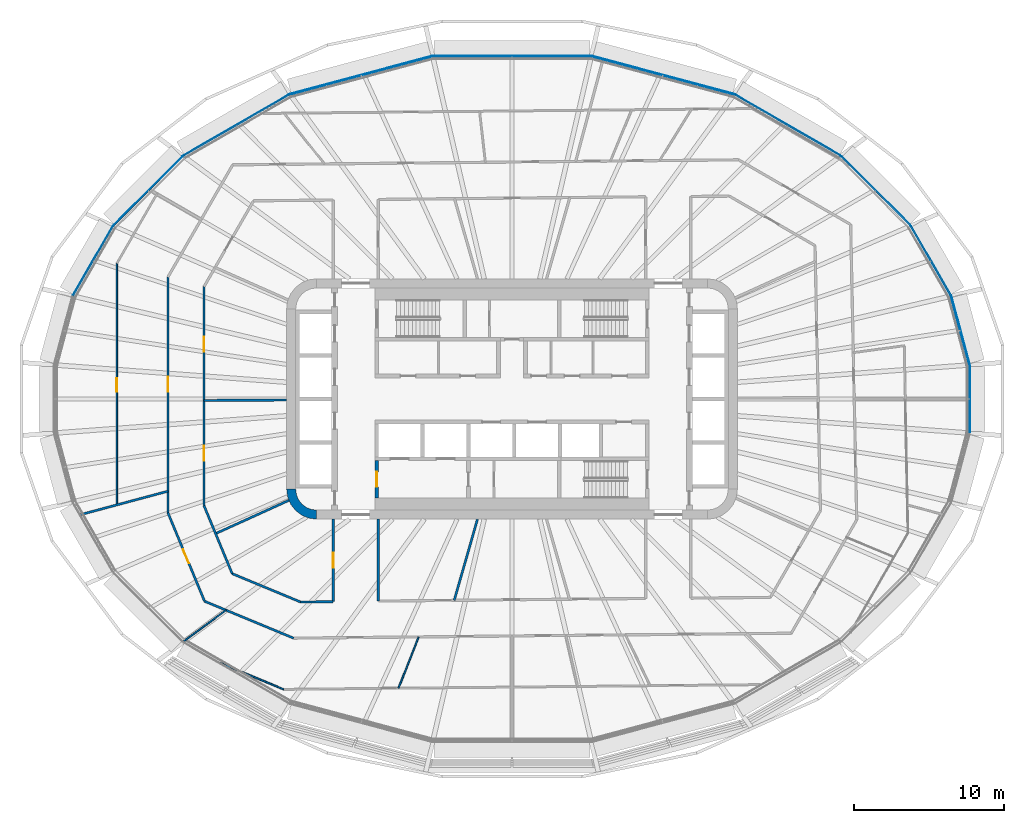
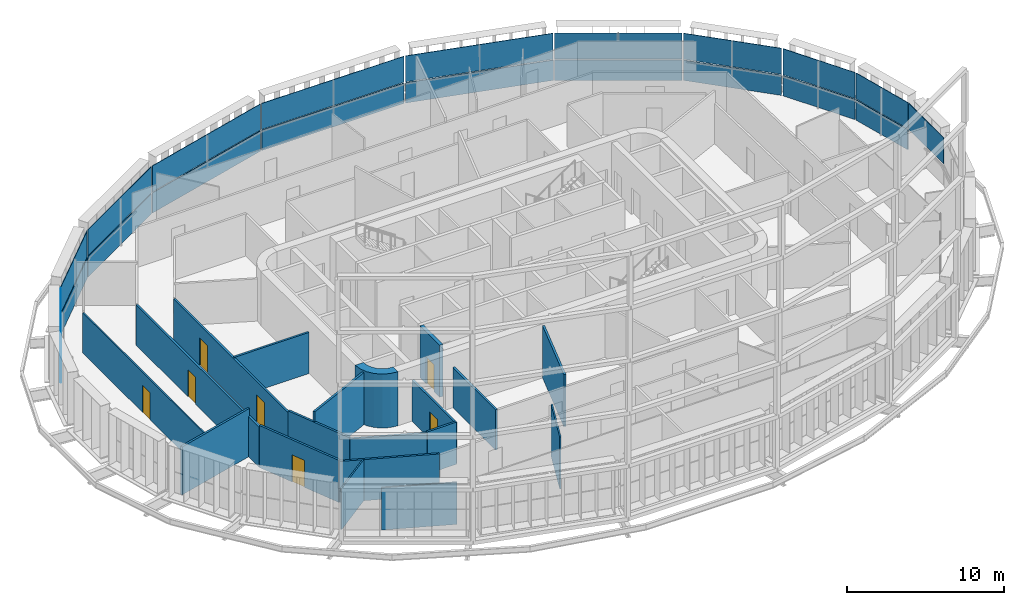
# One storey, part 11 of 23: 21 plates, 19 walls, 7 doors, 7 openings, 11 elements without a shape of their own.
"""IFC4 building model written with IfcOpenShell, lengths in metres."""

from ifc_helpers import new_model, si_unit, direction, frame, frame_2d, origin, place, context, subcontext, project, spatial, polyline, rectangle, outline, extrude, material, layer, layer_set, type_object, element, fill, aggregate, save


model = new_model("IFC4")

# Units and contexts
model_context = context("Model", 3, precision=1e-05, world=origin(), true_north=direction((0.0, 1.0)))
body_context = subcontext(model_context, "Body", "Model", "MODEL_VIEW")
ifc_project = project(units=[si_unit("LENGTHUNIT", "METRE"), si_unit("AREAUNIT", "SQUARE_METRE"), si_unit("VOLUMEUNIT", "CUBIC_METRE"), si_unit("PLANEANGLEUNIT", "RADIAN"), si_unit("MASSUNIT", "GRAM", prefix="KILO")], contexts=[model_context])

# Site, building, storey
site_placement = place(None, origin())
site = spatial("IfcSite", under=ifc_project, at=site_placement, CompositionType="ELEMENT")
building_placement = place(site_placement, origin())
building = spatial("IfcBuilding", under=site, at=building_placement, Name="Sahrelin Media Tower", CompositionType="ELEMENT")
storey_placement = place(building_placement, frame((0.0, 0.0, 54.60009765625)))
storey = spatial("IfcBuildingStorey", under=building, at=storey_placement, Name="L08", CompositionType="ELEMENT", Elevation=54.60009765625)

# Curtain wall, plate
ifc_material_1 = material(Name="Champagne anodised aluminium 6063-T6", Category="aluminium")
ifc_layer_1 = layer(ifc_material_1, 0.14990234375)
ifc_layer_set_1 = layer_set([ifc_layer_1], Name="Tower ribbon curtain wall")
curtain_wall_type = type_object("IfcCurtainWallType", Name="Tower ribbon curtain wall", PredefinedType="NOTDEFINED", material=ifc_layer_set_1)
curtain_wall_1_placement = place(storey_placement, frame((30.47412109375, 0.0, 0.0), z_axis=(0.0, 0.0, 1.0), x_axis=(1.0, 0.0, 0.0)))
curtain_wall_1 = element("IfcCurtainWall", 1, at=curtain_wall_1_placement, inside=storey, type_object=curtain_wall_type, Name="L08:CW:L08-00", PredefinedType="NOTDEFINED")
ifc_material_2 = material(Name="Clear low-iron glazing", Category="glass")
ifc_layer_2 = layer(ifc_material_2, 0.0400390625)
ifc_layer_set_2 = layer_set([ifc_layer_2], Name="Glazing panel 40 mm CW1")
plate_type_1 = type_object("IfcPlateType", Name="Glazing panel 40 mm CW1", PredefinedType="CURTAIN_PANEL", material=ifc_layer_set_2)
plate_1_placement = place(storey_placement, frame((30.493896484375, -2.219482421875, 1.6298828125), z_axis=(1.0, 0.0, 0.0), x_axis=(0.0, 1.0, 0.0)))
plate_1 = element("IfcPlate", 2, at=plate_1_placement, type_object=plate_type_1, Name="L08:CWP2:L08-00", PredefinedType="CURTAIN_PANEL", context=body_context, shape_type="SweptSolid", body=[
    extrude(outline(polyline([(0.0, 0.0), (4.43896484375, 0.0), (4.43896484375, 2.0185546875), (0.0, 2.0185546875), (0.0, 0.0)])), origin(), (0.0, 0.0, -1.0), 0.0400390625),
])
aggregate(curtain_wall_1, [plate_1])

curtain_wall_2_placement = place(storey_placement, frame((29.859619140625, 4.562744140625, 0.0), z_axis=(0.0, 0.0, 1.0), x_axis=(1.0, 0.0, 0.0)))
curtain_wall_2 = element("IfcCurtainWall", 3, at=curtain_wall_2_placement, inside=storey, type_object=curtain_wall_type, Name="L08:CW:L08-01", PredefinedType="NOTDEFINED")
plate_2_placement = place(storey_placement, frame((30.48046875, 2.322998046875, 1.6298828125), z_axis=(0.965920385207, 0.258839350642, 0.0), x_axis=(-0.258839350642, 0.965920385207, 0.0)))
plate_2 = element("IfcPlate", 4, at=plate_2_placement, type_object=plate_type_1, Name="L08:CWP2:L08-01", PredefinedType="CURTAIN_PANEL", context=body_context, shape_type="SweptSolid", body=[
    extrude(outline(polyline([(0.0, 0.0), (4.648193359375, 0.0), (4.648193359375, 2.0185546875), (0.0, 2.0185546875), (0.0, 0.0)])), origin(), (0.0, 0.0, -1.0), 0.0400390625),
])

curtain_wall_3_placement = place(storey_placement, frame((27.893798828125, 9.196533203125, 0.0), z_axis=(0.0, 0.0, 1.0), x_axis=(1.0, 0.0, 0.0)))
curtain_wall_3 = element("IfcCurtainWall", 5, at=curtain_wall_3_placement, inside=storey, type_object=curtain_wall_type, Name="L08:CW:L08-02", PredefinedType="NOTDEFINED")
plate_3_placement = place(storey_placement, frame((29.2373046875, 6.9091796875, 1.6298828125), z_axis=(0.866039990527, 0.49997473417, 0.0), x_axis=(-0.49997473417, 0.866039990527, 0.0)))
plate_3 = element("IfcPlate", 6, at=plate_3_placement, type_object=plate_type_1, Name="L08:CWP2:L08-02", PredefinedType="CURTAIN_PANEL", context=body_context, shape_type="SweptSolid", body=[
    extrude(outline(polyline([(0.0, 0.0), (5.305419921875, 0.0), (5.305419921875, 2.0185546875), (0.0, 2.0185546875), (0.0, 0.0)])), origin(), (0.0, 0.0, -1.0), 0.0400390625),
])

curtain_wall_4_placement = place(storey_placement, frame((24.218017578125, 13.861328125, 0.0), z_axis=(0.0, 0.0, 1.0), x_axis=(1.0, 0.0, 0.0)))
curtain_wall_4 = element("IfcCurtainWall", 7, at=curtain_wall_4_placement, inside=storey, type_object=curtain_wall_type, Name="L08:CW:L08-03", PredefinedType="NOTDEFINED")
plate_4_placement = place(storey_placement, frame((26.52099609375, 11.5869140625, 1.6298828125), z_axis=(0.707106781187, 0.707106781187, 0.0), x_axis=(-0.707106781187, 0.707106781187, 0.0)))
plate_4 = element("IfcPlate", 8, at=plate_4_placement, type_object=plate_type_1, Name="L08:CWP2:L08-03", PredefinedType="CURTAIN_PANEL", context=body_context, shape_type="SweptSolid", body=[
    extrude(outline(polyline([(0.0, 0.0), (6.473388671875, 0.0), (6.473388671875, 2.0185546875), (0.0, 2.0185546875), (0.0, 0.0)])), origin(), (0.0, 0.0, -1.0), 0.0400390625),
])

curtain_wall_5_placement = place(storey_placement, frame((18.342041015625, 18.236328125, 0.0), z_axis=(0.0, 0.0, 1.0), x_axis=(1.0, 0.0, 0.0)))
curtain_wall_5 = element("IfcCurtainWall", 9, at=curtain_wall_5_placement, inside=storey, type_object=curtain_wall_type, Name="L08:CW:L08-04", PredefinedType="NOTDEFINED")
plate_5_placement = place(storey_placement, frame((21.860595703125, 16.227783203125, 1.6298828125), z_axis=(0.500018045804, 0.866014984784, 0.0), x_axis=(-0.866014984784, 0.500018045804, 0.0)))
plate_5 = element("IfcPlate", 10, at=plate_5_placement, type_object=plate_type_1, Name="L08:CWP2:L08-04", PredefinedType="CURTAIN_PANEL", context=body_context, shape_type="SweptSolid", body=[
    extrude(outline(polyline([(0.0, 0.0), (8.102783203125, 0.0), (8.102783203125, 2.0185546875), (0.0, 2.0185546875), (0.0, 0.0)])), origin(), (0.0, 0.0, -1.0), 0.0400390625),
])

curtain_wall_6_placement = place(storey_placement, frame((10.03759765625, 21.560302734375, 0.0), z_axis=(0.0, 0.0, 1.0), x_axis=(1.0, 0.0, 0.0)))
curtain_wall_6 = element("IfcCurtainWall", 11, at=curtain_wall_6_placement, inside=storey, type_object=curtain_wall_type, Name="L08:CW:L08-05", PredefinedType="NOTDEFINED")
plate_6_placement = place(storey_placement, frame((14.7470703125, 20.3193359375, 1.6298828125), z_axis=(0.258813760539, 0.965927242268, 0.0), x_axis=(-0.965927242268, 0.258813760539, 0.0)))
plate_6 = element("IfcPlate", 12, at=plate_6_placement, type_object=plate_type_1, Name="L08:CWP2:L08-05", PredefinedType="CURTAIN_PANEL", context=body_context, shape_type="SweptSolid", body=[
    extrude(outline(polyline([(0.0, 0.0), (9.740478515625, 0.0), (9.740478515625, 2.0185546875), (0.0, 2.0185546875), (0.0, 0.0)])), origin(), (0.0, 0.0, -1.0), 0.0400390625),
])

curtain_wall_7_placement = place(storey_placement, frame((0.0, 22.833984375, 0.0), z_axis=(0.0, 0.0, 1.0), x_axis=(1.0, 0.0, 0.0)))
curtain_wall_7 = element("IfcCurtainWall", 13, at=curtain_wall_7_placement, inside=storey, type_object=curtain_wall_type, Name="L08:CW:L08-06", PredefinedType="NOTDEFINED")
plate_7_placement = place(storey_placement, frame((5.23486328125, 22.85400390625, 1.6298828125), z_axis=(0.0, 1.0, 0.0), x_axis=(-1.0, 0.0, 0.0)))
plate_7 = element("IfcPlate", 14, at=plate_7_placement, type_object=plate_type_1, Name="L08:CWP2:L08-06", PredefinedType="CURTAIN_PANEL", context=body_context, shape_type="SweptSolid", body=[
    extrude(outline(polyline([(0.0, 0.0), (10.4697265625, 0.0), (10.4697265625, 2.0185546875), (0.0, 2.0185546875), (0.0, 0.0)])), origin(), (0.0, 0.0, -1.0), 0.0400390625),
])

curtain_wall_8_placement = place(storey_placement, frame((-10.03759765625, 21.560302734375, 0.0), z_axis=(0.0, 0.0, 1.0), x_axis=(1.0, 0.0, 0.0)))
curtain_wall_8 = element("IfcCurtainWall", 15, at=curtain_wall_8_placement, inside=storey, type_object=curtain_wall_type, Name="L08:CW:L08-07", PredefinedType="NOTDEFINED")
plate_8_placement = place(storey_placement, frame((-5.33837890625, 22.84033203125, 1.6298828125), z_axis=(-0.258813760539, 0.965927242268, 0.0), x_axis=(-0.965927242268, -0.258813760539, 0.0)))
plate_8 = element("IfcPlate", 16, at=plate_8_placement, type_object=plate_type_1, Name="L08:CWP2:L08-07", PredefinedType="CURTAIN_PANEL", context=body_context, shape_type="SweptSolid", body=[
    extrude(outline(polyline([(0.0, 0.0), (9.740478515625, 0.0), (9.740478515625, 2.0185546875), (0.0, 2.0185546875), (0.0, 0.0)])), origin(), (0.0, 0.0, -1.0), 0.0400390625),
])

curtain_wall_9_placement = place(storey_placement, frame((-18.342041015625, 18.236328125, 0.0), z_axis=(0.0, 0.0, 1.0), x_axis=(1.0, 0.0, 0.0)))
curtain_wall_9 = element("IfcCurtainWall", 17, at=curtain_wall_9_placement, inside=storey, type_object=curtain_wall_type, Name="L08:CW:L08-08", PredefinedType="NOTDEFINED")
plate_9_placement = place(storey_placement, frame((-14.843505859375, 20.279296875, 1.6298828125), z_axis=(-0.500018045804, 0.866014984784, 0.0), x_axis=(-0.866014984784, -0.500018045804, 0.0)))
plate_9 = element("IfcPlate", 18, at=plate_9_placement, type_object=plate_type_1, Name="L08:CWP2:L08-08", PredefinedType="CURTAIN_PANEL", context=body_context, shape_type="SweptSolid", body=[
    extrude(outline(polyline([(0.0, 0.0), (8.102783203125, 0.0), (8.102783203125, 2.0185546875), (0.0, 2.0185546875), (0.0, 0.0)])), origin(), (0.0, 0.0, -1.0), 0.0400390625),
])

curtain_wall_10_placement = place(storey_placement, frame((-24.21826171875, 13.861572265625, 0.0), z_axis=(0.0, 0.0, 1.0), x_axis=(1.0, 0.0, 0.0)))
curtain_wall_10 = element("IfcCurtainWall", 19, at=curtain_wall_10_placement, inside=storey, type_object=curtain_wall_type, Name="L08:CW:L08-09", PredefinedType="NOTDEFINED")
plate_10_placement = place(storey_placement, frame((-21.943603515625, 16.164306640625, 1.6298828125), z_axis=(-0.707106781187, 0.707106781187, 0.0), x_axis=(-0.707106781187, -0.707106781187, 0.0)))
plate_10 = element("IfcPlate", 20, at=plate_10_placement, type_object=plate_type_1, Name="L08:CWP2:L08-09", PredefinedType="CURTAIN_PANEL", context=body_context, shape_type="SweptSolid", body=[
    extrude(outline(polyline([(0.0, 0.0), (6.473388671875, 0.0), (6.473388671875, 2.0185546875), (0.0, 2.0185546875), (0.0, 0.0)])), origin(), (0.0, 0.0, -1.0), 0.0400390625),
])

curtain_wall_11_placement = place(storey_placement, frame((-27.893798828125, 9.196533203125, 0.0), z_axis=(0.0, 0.0, 1.0), x_axis=(1.0, 0.0, 0.0)))
curtain_wall_11 = element("IfcCurtainWall", 21, at=curtain_wall_11_placement, inside=storey, type_object=curtain_wall_type, Name="L08:CW:L08-10", PredefinedType="NOTDEFINED")
plate_11_placement = place(storey_placement, frame((-26.584716796875, 11.50390625, 1.6298828125), z_axis=(-0.866039990527, 0.49997473417, 0.0), x_axis=(-0.49997473417, -0.866039990527, 0.0)))
plate_11 = element("IfcPlate", 22, at=plate_11_placement, type_object=plate_type_1, Name="L08:CWP2:L08-10", PredefinedType="CURTAIN_PANEL", context=body_context, shape_type="SweptSolid", body=[
    extrude(outline(polyline([(0.0, 0.0), (5.305419921875, 0.0), (5.305419921875, 2.0185546875), (0.0, 2.0185546875), (0.0, 0.0)])), origin(), (0.0, 0.0, -1.0), 0.0400390625),
])

# Plate
ifc_material_3 = material(Name="Insulated spandrel panel")
ifc_layer_3 = layer(ifc_material_3, 0.06005859375)
ifc_layer_set_3 = layer_set([ifc_layer_3], Name="Spandrel panel 60 mm CW1")
plate_type_2 = type_object("IfcPlateType", Name="Spandrel panel 60 mm CW1", PredefinedType="SHEET", material=ifc_layer_set_3)
plate_12_placement = place(storey_placement, frame((30.48046875, 2.322998046875, 0.0), z_axis=(0.965920385207, 0.258839350642, 0.0), x_axis=(-0.258839350642, 0.965920385207, 0.0)))
plate_12 = element("IfcPlate", 23, at=plate_12_placement, type_object=plate_type_2, Name="L08:CWP1:L08-01", PredefinedType="SHEET", context=body_context, shape_type="SweptSolid", body=[
    extrude(outline(polyline([(0.0, 0.0), (4.648193359375, 0.0), (4.648193359375, 1.56982421875), (0.0, 1.56982421875), (0.0, 0.0)])), origin(), (0.0, 0.0, -1.0), 0.06005859375),
])

aggregate(curtain_wall_2, [plate_12, plate_2])

plate_13_placement = place(storey_placement, frame((29.2373046875, 6.9091796875, 0.0), z_axis=(0.866039990527, 0.49997473417, 0.0), x_axis=(-0.49997473417, 0.866039990527, 0.0)))
plate_13 = element("IfcPlate", 24, at=plate_13_placement, type_object=plate_type_2, Name="L08:CWP1:L08-02", PredefinedType="SHEET", context=body_context, shape_type="SweptSolid", body=[
    extrude(outline(polyline([(0.0, 0.0), (5.305419921875, 0.0), (5.305419921875, 1.56982421875), (0.0, 1.56982421875), (0.0, 0.0)])), origin(), (0.0, 0.0, -1.0), 0.06005859375),
])

aggregate(curtain_wall_3, [plate_13, plate_3])

plate_14_placement = place(storey_placement, frame((26.52099609375, 11.5869140625, 0.0), z_axis=(0.707106781187, 0.707106781187, 0.0), x_axis=(-0.707106781187, 0.707106781187, 0.0)))
plate_14 = element("IfcPlate", 25, at=plate_14_placement, type_object=plate_type_2, Name="L08:CWP1:L08-03", PredefinedType="SHEET", context=body_context, shape_type="SweptSolid", body=[
    extrude(outline(polyline([(0.0, 0.0), (6.473388671875, 0.0), (6.473388671875, 1.56982421875), (0.0, 1.56982421875), (0.0, 0.0)])), origin(), (0.0, 0.0, -1.0), 0.06005859375),
])

aggregate(curtain_wall_4, [plate_14, plate_4])

plate_15_placement = place(storey_placement, frame((21.860595703125, 16.227783203125, 0.0), z_axis=(0.500018045804, 0.866014984784, 0.0), x_axis=(-0.866014984784, 0.500018045804, 0.0)))
plate_15 = element("IfcPlate", 26, at=plate_15_placement, type_object=plate_type_2, Name="L08:CWP1:L08-04", PredefinedType="SHEET", context=body_context, shape_type="SweptSolid", body=[
    extrude(outline(polyline([(0.0, 0.0), (8.102783203125, 0.0), (8.102783203125, 1.56982421875), (0.0, 1.56982421875), (0.0, 0.0)])), origin(), (0.0, 0.0, -1.0), 0.06005859375),
])

aggregate(curtain_wall_5, [plate_15, plate_5])

plate_16_placement = place(storey_placement, frame((14.7470703125, 20.3193359375, 0.0), z_axis=(0.258813760539, 0.965927242268, 0.0), x_axis=(-0.965927242268, 0.258813760539, 0.0)))
plate_16 = element("IfcPlate", 27, at=plate_16_placement, type_object=plate_type_2, Name="L08:CWP1:L08-05", PredefinedType="SHEET", context=body_context, shape_type="SweptSolid", body=[
    extrude(outline(polyline([(0.0, 0.0), (9.740478515625, 0.0), (9.740478515625, 1.56982421875), (0.0, 1.56982421875), (0.0, 0.0)])), origin(), (0.0, 0.0, -1.0), 0.06005859375),
])

aggregate(curtain_wall_6, [plate_16, plate_6])

plate_17_placement = place(storey_placement, frame((5.23486328125, 22.85400390625, 0.0), z_axis=(0.0, 1.0, 0.0), x_axis=(-1.0, 0.0, 0.0)))
plate_17 = element("IfcPlate", 28, at=plate_17_placement, type_object=plate_type_2, Name="L08:CWP1:L08-06", PredefinedType="SHEET", context=body_context, shape_type="SweptSolid", body=[
    extrude(outline(polyline([(0.0, 0.0), (10.4697265625, 0.0), (10.4697265625, 1.56982421875), (0.0, 1.56982421875), (0.0, 0.0)])), origin(), (0.0, 0.0, -1.0), 0.06005859375),
])

aggregate(curtain_wall_7, [plate_17, plate_7])

plate_18_placement = place(storey_placement, frame((-5.33837890625, 22.84033203125, 0.0), z_axis=(-0.258813760539, 0.965927242268, 0.0), x_axis=(-0.965927242268, -0.258813760539, 0.0)))
plate_18 = element("IfcPlate", 29, at=plate_18_placement, type_object=plate_type_2, Name="L08:CWP1:L08-07", PredefinedType="SHEET", context=body_context, shape_type="SweptSolid", body=[
    extrude(outline(polyline([(0.0, 0.0), (9.740478515625, 0.0), (9.740478515625, 1.56982421875), (0.0, 1.56982421875), (0.0, 0.0)])), origin(), (0.0, 0.0, -1.0), 0.06005859375),
])

aggregate(curtain_wall_8, [plate_18, plate_8])

plate_19_placement = place(storey_placement, frame((-14.843505859375, 20.279296875, 0.0), z_axis=(-0.500018045804, 0.866014984784, 0.0), x_axis=(-0.866014984784, -0.500018045804, 0.0)))
plate_19 = element("IfcPlate", 30, at=plate_19_placement, type_object=plate_type_2, Name="L08:CWP1:L08-08", PredefinedType="SHEET", context=body_context, shape_type="SweptSolid", body=[
    extrude(outline(polyline([(0.0, 0.0), (8.102783203125, 0.0), (8.102783203125, 1.56982421875), (0.0, 1.56982421875), (0.0, 0.0)])), origin(), (0.0, 0.0, -1.0), 0.06005859375),
])

aggregate(curtain_wall_9, [plate_19, plate_9])

plate_20_placement = place(storey_placement, frame((-21.943603515625, 16.164306640625, 0.0), z_axis=(-0.707106781187, 0.707106781187, 0.0), x_axis=(-0.707106781187, -0.707106781187, 0.0)))
plate_20 = element("IfcPlate", 31, at=plate_20_placement, type_object=plate_type_2, Name="L08:CWP1:L08-09", PredefinedType="SHEET", context=body_context, shape_type="SweptSolid", body=[
    extrude(outline(polyline([(0.0, 0.0), (6.473388671875, 0.0), (6.473388671875, 1.56982421875), (0.0, 1.56982421875), (0.0, 0.0)])), origin(), (0.0, 0.0, -1.0), 0.06005859375),
])

aggregate(curtain_wall_10, [plate_20, plate_10])

plate_21_placement = place(storey_placement, frame((-26.584716796875, 11.50390625, 0.0), z_axis=(-0.866039990527, 0.49997473417, 0.0), x_axis=(-0.49997473417, -0.866039990527, 0.0)))
plate_21 = element("IfcPlate", 32, at=plate_21_placement, type_object=plate_type_2, Name="L08:CWP1:L08-10", PredefinedType="SHEET", context=body_context, shape_type="SweptSolid", body=[
    extrude(outline(polyline([(0.0, 0.0), (5.305419921875, 0.0), (5.305419921875, 1.56982421875), (0.0, 1.56982421875), (0.0, 0.0)])), origin(), (0.0, 0.0, -1.0), 0.06005859375),
])

aggregate(curtain_wall_11, [plate_21, plate_11])

# Wall
ifc_material_4 = material(Name="Concrete C60/75", Category="concrete")
ifc_layer_4 = layer(ifc_material_4, 0.60009765625)
ifc_layer_set_4 = layer_set([ifc_layer_4], Name="Core wall 600")
wall_type_1 = type_object("IfcWallType", Name="Core wall 600", PredefinedType="SHEAR", material=ifc_layer_set_4)
wall_1_placement = place(storey_placement, origin())
element("IfcWall", 33, at=wall_1_placement, inside=storey, type_object=wall_type_1, Name="Core wall corner SW L08", PredefinedType="SHEAR", context=body_context, shape_type="SweptSolid", body=[
    extrude(outline(polyline([(-13.0, -8.0), (-13.0, -7.394775390625), (-13.361083984375, -7.347412109375), (-13.697509765625, -7.2080078125), (-13.986328125, -6.986328125), (-14.2080078125, -6.697509765625), (-14.347412109375, -6.361083984375), (-14.394775390625, -6.0), (-15.0, -6.0), (-14.931884765625, -6.517578125), (-14.732177734375, -7.0), (-14.414306640625, -7.414306640625), (-14.0, -7.732177734375), (-13.517578125, -7.931884765625), (-13.0, -8.0)])), origin(), (0.0, 0.0, 1.0), 4.199951171875),
])

# Wall, opening, door
ifc_material_5 = material(Name="Fire-rated gypsum board partition")
ifc_layer_5 = layer(ifc_material_5, 0.14990234375)
ifc_layer_set_5 = layer_set([ifc_layer_5], Name="Fire-rated partition 150")
wall_type_2 = type_object("IfcWallType", Name="Fire-rated partition 150", PredefinedType="PARTITIONING", material=ifc_layer_set_5)
wall_2_placement = place(storey_placement, frame((-22.89990234375, -7.572021484375, 0.0), z_axis=(0.0, 0.0, 1.0), x_axis=(0.382860357704, -0.923806227788, 0.0)))
wall_2 = element("IfcWall", 34, at=wall_2_placement, inside=storey, type_object=wall_type_2, Name="Wall", PredefinedType="PARTITIONING", context=body_context, shape_type="SweptSolid", body=[
    extrude(rectangle(XDim=6.37353515625, YDim=0.14990234375, at=frame_2d((3.186767578125, 0.0))), origin(), (0.0, 0.0, 1.0), 3.27587890625),
])
opening_1_placement = place(wall_2_placement, frame((2.637451171875, 0.0, 0.0)))
opening_1 = element("IfcOpeningElement", 35, at=opening_1_placement, cuts=wall_2, Name="Opening L08-D48", PredefinedType="OPENING", context=body_context, shape_type="SweptSolid", body=[
    extrude(rectangle(XDim=1.0, YDim=2.10009765625, at=frame_2d((0.5, 1.050048828125))), frame((0.0, 0.074951171875, 0.0), z_axis=(0.0, -1.0, 0.0), x_axis=(1.0, 0.0, 0.0)), (0.0, 0.0, 1.0), 0.14990234375),
])
ifc_material_6 = material(Name="Steel fire door leaf", Category="steel")
door_type_1 = type_object("IfcDoorType", Name="Fire door 1000 x 2100 EI 60", OperationType="NOTDEFINED", PredefinedType="DOOR", material=ifc_material_6)
door_1_placement = place(opening_1_placement, origin())
door_1 = element("IfcDoor", 36, at=door_1_placement, inside=storey, type_object=door_type_1, Name="Fire door", OperationType="SINGLE_SWING_LEFT", OverallHeight=2.10009765625, OverallWidth=1.0, PredefinedType="DOOR", context=body_context, shape_type="SweptSolid", body=[
    extrude(rectangle(XDim=1.0, YDim=2.10009765625, at=frame_2d((0.5, 1.050048828125))), frame((0.0, 0.02490234375, 0.0), z_axis=(0.0, -1.0, 0.0), x_axis=(1.0, 0.0, 0.0)), (0.0, 0.0, 1.0), 0.050048828125),
])
fill(opening_1, door_1)

# Walls
wall_3_placement = place(storey_placement, frame((-20.5, -7.094970703125, 0.0), z_axis=(0.0, 0.0, 1.0), x_axis=(0.382878184095, -0.923798839653, 0.0)))
element("IfcWall", 37, at=wall_3_placement, inside=storey, type_object=wall_type_2, Name="Wall", PredefinedType="PARTITIONING", context=body_context, shape_type="SweptSolid", body=[
    extrude(rectangle(XDim=4.901611328125, YDim=0.14990234375, at=frame_2d((2.45068359375, 0.0))), origin(), (0.0, 0.0, 1.0), 3.27587890625),
])
wall_4_placement = place(storey_placement, frame((-20.4599609375, -13.4599609375, 0.0), z_axis=(0.0, 0.0, 1.0), x_axis=(0.9237825057, -0.382917591869, 0.0)))
element("IfcWall", 38, at=wall_4_placement, inside=storey, type_object=wall_type_2, Name="Wall", PredefinedType="PARTITIONING", context=body_context, shape_type="SweptSolid", body=[
    extrude(rectangle(XDim=6.414794921875, YDim=0.14990234375, at=frame_2d((3.20751953125, 0.0))), origin(), (0.0, 0.0, 1.0), 3.19482421875),
])
wall_5_placement = place(storey_placement, frame((-18.623046875, -11.623046875, 0.0), z_axis=(0.0, 0.0, 1.0), x_axis=(0.923791670587, -0.38289548098, 0.0)))
element("IfcWall", 39, at=wall_5_placement, inside=storey, type_object=wall_type_2, Name="Wall", PredefinedType="PARTITIONING", context=body_context, shape_type="SweptSolid", body=[
    extrude(rectangle(XDim=4.9306640625, YDim=0.14990234375, at=frame_2d((2.46533203125, 0.0))), origin(), (0.0, 0.0, 1.0), 3.19482421875),
])
wall_6_placement = place(storey_placement, frame((-20.5, -0.093994140625, 0.0), z_axis=(0.0, 0.0, 1.0), x_axis=(0.999990148138, 0.004438876723, 0.0)))
element("IfcWall", 40, at=wall_6_placement, inside=storey, type_object=wall_type_2, Name="Wall", PredefinedType="PARTITIONING", context=body_context, shape_type="SweptSolid", body=[
    extrude(rectangle(XDim=5.5, YDim=0.14990234375, at=frame_2d((2.75, 0.0))), origin(), (0.0, 0.0, 1.0), 3.19482421875),
])
wall_7_placement = place(storey_placement, frame((-14.068115234375, -13.510986328125, 0.0), z_axis=(0.0, 0.0, 1.0), x_axis=(0.999950911515, 0.009908307647, 0.0)))
element("IfcWall", 41, at=wall_7_placement, inside=storey, type_object=wall_type_2, Name="Wall", PredefinedType="PARTITIONING", context=body_context, shape_type="SweptSolid", body=[
    extrude(rectangle(XDim=2.168212890625, YDim=0.14990234375, at=frame_2d((1.083984375, 0.0))), origin(), (0.0, 0.0, 1.0), 3.27587890625),
])
wall_8_placement = place(storey_placement, frame((-28.7548828125, -7.705078125, 0.0), z_axis=(0.0, 0.0, 1.0), x_axis=(0.965915328716, 0.2588582194, 0.0)))
element("IfcWall", 42, at=wall_8_placement, inside=storey, type_object=wall_type_2, Name="Wall", PredefinedType="PARTITIONING", context=body_context, shape_type="SweptSolid", body=[
    extrude(rectangle(XDim=6.0615234375, YDim=0.14990234375, at=frame_2d((3.03076171875, 0.0))), origin(), (0.0, 0.0, 1.0), 3.7265625),
])
wall_9_placement = place(storey_placement, frame((-19.72802734375, -8.9580078125, 0.0), z_axis=(0.0, 0.0, 1.0), x_axis=(0.910629511797, 0.413223779863, 0.0)))
element("IfcWall", 43, at=wall_9_placement, inside=storey, type_object=wall_type_2, Name="Wall", PredefinedType="PARTITIONING", context=body_context, shape_type="SweptSolid", body=[
    extrude(rectangle(XDim=5.3681640625, YDim=0.14990234375, at=frame_2d((2.68408203125, 0.0))), origin(), (0.0, 0.0, 1.0), 4.0498046875),
])
wall_10_placement = place(storey_placement, frame((-3.845947265625, -13.39892578125, 0.0), z_axis=(0.0, 0.0, 1.0), x_axis=(0.275914969745, 0.961182048038, 0.0)))
element("IfcWall", 44, at=wall_10_placement, inside=storey, type_object=wall_type_2, Name="Wall", PredefinedType="PARTITIONING", context=body_context, shape_type="SweptSolid", body=[
    extrude(rectangle(XDim=5.616943359375, YDim=0.14990234375, at=frame_2d((2.80859375, 0.0))), origin(), (0.0, 0.0, 1.0), 4.0498046875),
])
wall_11_placement = place(storey_placement, frame((-8.89990234375, -13.448974609375, 0.0), z_axis=(0.0, 0.0, 1.0), x_axis=(0.0, 1.0, 0.0)))
element("IfcWall", 45, at=wall_11_placement, inside=storey, type_object=wall_type_2, Name="Wall", PredefinedType="PARTITIONING", context=body_context, shape_type="SweptSolid", body=[
    extrude(rectangle(XDim=5.448974609375, YDim=0.14990234375, at=frame_2d((2.724609375, 0.0))), origin(), (0.0, 0.0, 1.0), 3.126953125),
])

# Wall, opening, door
wall_12_placement = place(storey_placement, frame((-11.89990234375, -13.489990234375, 0.0), z_axis=(0.0, 0.0, 1.0), x_axis=(0.0, 1.0, 0.0)))
wall_12 = element("IfcWall", 46, at=wall_12_placement, inside=storey, type_object=wall_type_2, Name="Wall", PredefinedType="PARTITIONING", context=body_context, shape_type="SweptSolid", body=[
    extrude(rectangle(XDim=5.489990234375, YDim=0.14990234375, at=frame_2d((2.7451171875, 0.0))), origin(), (0.0, 0.0, 1.0), 3.19482421875),
])
opening_2_placement = place(wall_12_placement, frame((2.2451171875, 0.0, 0.0)))
opening_2 = element("IfcOpeningElement", 47, at=opening_2_placement, cuts=wall_12, Name="Opening L08-D36", PredefinedType="OPENING", context=body_context, shape_type="SweptSolid", body=[
    extrude(rectangle(XDim=1.0, YDim=2.10009765625, at=frame_2d((0.5, 1.050048828125))), frame((0.0, 0.074951171875, 0.0), z_axis=(0.0, -1.0, 0.0), x_axis=(1.0, 0.0, 0.0)), (0.0, 0.0, 1.0), 0.14990234375),
])
door_2_placement = place(opening_2_placement, origin())
door_2 = element("IfcDoor", 48, at=door_2_placement, inside=storey, type_object=door_type_1, Name="Fire door", OperationType="SINGLE_SWING_RIGHT", OverallHeight=2.10009765625, OverallWidth=1.0, PredefinedType="DOOR", context=body_context, shape_type="SweptSolid", body=[
    extrude(rectangle(XDim=1.0, YDim=2.10009765625, at=frame_2d((0.5, 1.050048828125))), frame((0.0, 0.02490234375, 0.0), z_axis=(0.0, -1.0, 0.0), x_axis=(1.0, 0.0, 0.0)), (0.0, 0.0, 1.0), 0.050048828125),
])
fill(opening_2, door_2)

# Wall, openings, doors
wall_13_placement = place(storey_placement, frame((-20.5, -7.094970703125, 0.0), z_axis=(0.0, 0.0, 1.0), x_axis=(0.0, 1.0, 0.0)))
wall_13 = element("IfcWall", 49, at=wall_13_placement, inside=storey, type_object=wall_type_2, Name="Wall", PredefinedType="PARTITIONING", context=body_context, shape_type="SweptSolid", body=[
    extrude(rectangle(XDim=14.569091796875, YDim=0.14990234375, at=frame_2d((7.28466796875, 0.0))), origin(), (0.0, 0.0, 1.0), 3.126953125),
])
opening_3_placement = place(wall_13_placement, frame((10.234375, 0.0, 0.0)))
opening_3 = element("IfcOpeningElement", 50, at=opening_3_placement, cuts=wall_13, Name="Opening L08-D34", PredefinedType="OPENING", context=body_context, shape_type="SweptSolid", body=[
    extrude(rectangle(XDim=1.0, YDim=2.10009765625, at=frame_2d((0.5, 1.050048828125))), frame((0.0, 0.074951171875, 0.0), z_axis=(0.0, -1.0, 0.0), x_axis=(1.0, 0.0, 0.0)), (0.0, 0.0, 1.0), 0.14990234375),
])
opening_4_placement = place(wall_13_placement, frame((3.00048828125, 0.0, 0.0)))
opening_4 = element("IfcOpeningElement", 51, at=opening_4_placement, cuts=wall_13, Name="Opening L08-D35", PredefinedType="OPENING", context=body_context, shape_type="SweptSolid", body=[
    extrude(rectangle(XDim=1.0, YDim=2.10009765625, at=frame_2d((0.5, 1.050048828125))), frame((0.0, 0.074951171875, 0.0), z_axis=(0.0, -1.0, 0.0), x_axis=(1.0, 0.0, 0.0)), (0.0, 0.0, 1.0), 0.14990234375),
])
door_3_placement = place(opening_3_placement, origin())
door_3 = element("IfcDoor", 52, at=door_3_placement, inside=storey, type_object=door_type_1, Name="Fire door", OperationType="SINGLE_SWING_RIGHT", OverallHeight=2.10009765625, OverallWidth=1.0, PredefinedType="DOOR", context=body_context, shape_type="SweptSolid", body=[
    extrude(rectangle(XDim=1.0, YDim=2.10009765625, at=frame_2d((0.5, 1.050048828125))), frame((0.0, 0.02490234375, 0.0), z_axis=(0.0, -1.0, 0.0), x_axis=(1.0, 0.0, 0.0)), (0.0, 0.0, 1.0), 0.050048828125),
])
fill(opening_3, door_3)
door_4_placement = place(opening_4_placement, origin())
door_4 = element("IfcDoor", 53, at=door_4_placement, inside=storey, type_object=door_type_1, Name="Fire door", OperationType="SINGLE_SWING_LEFT", OverallHeight=2.10009765625, OverallWidth=1.0, PredefinedType="DOOR", context=body_context, shape_type="SweptSolid", body=[
    extrude(rectangle(XDim=1.0, YDim=2.10009765625, at=frame_2d((0.5, 1.050048828125))), frame((0.0, 0.02490234375, 0.0), z_axis=(0.0, -1.0, 0.0), x_axis=(1.0, 0.0, 0.0)), (0.0, 0.0, 1.0), 0.050048828125),
])
fill(opening_4, door_4)

# Wall, opening, door
wall_14_placement = place(storey_placement, frame((-22.89990234375, -7.572021484375, 0.0), z_axis=(0.0, 0.0, 1.0), x_axis=(0.0, 1.0, 0.0)))
wall_14 = element("IfcWall", 54, at=wall_14_placement, inside=storey, type_object=wall_type_2, Name="Wall", PredefinedType="PARTITIONING", context=body_context, shape_type="SweptSolid", body=[
    extrude(rectangle(XDim=15.68896484375, YDim=0.14990234375, at=frame_2d((7.844482421875, 0.0))), origin(), (0.0, 0.0, 1.0), 3.126953125),
])
opening_5_placement = place(wall_14_placement, frame((8.0625, 0.0, 0.0)))
opening_5 = element("IfcOpeningElement", 55, at=opening_5_placement, cuts=wall_14, Name="Opening L08-D46", PredefinedType="OPENING", context=body_context, shape_type="SweptSolid", body=[
    extrude(rectangle(XDim=1.0, YDim=2.10009765625, at=frame_2d((0.5, 1.050048828125))), frame((0.0, 0.074951171875, 0.0), z_axis=(0.0, -1.0, 0.0), x_axis=(1.0, 0.0, 0.0)), (0.0, 0.0, 1.0), 0.14990234375),
])
door_5_placement = place(opening_5_placement, origin())
door_5 = element("IfcDoor", 56, at=door_5_placement, inside=storey, type_object=door_type_1, Name="Fire door", OperationType="SINGLE_SWING_RIGHT", OverallHeight=2.10009765625, OverallWidth=1.0, PredefinedType="DOOR", context=body_context, shape_type="SweptSolid", body=[
    extrude(rectangle(XDim=1.0, YDim=2.10009765625, at=frame_2d((0.5, 1.050048828125))), frame((0.0, 0.02490234375, 0.0), z_axis=(0.0, -1.0, 0.0), x_axis=(1.0, 0.0, 0.0)), (0.0, 0.0, 1.0), 0.050048828125),
])
fill(opening_5, door_5)

ifc_layer_6 = layer(ifc_material_5, 0.25)
ifc_layer_set_6 = layer_set([ifc_layer_6], Name="Firefighting lobby wall 250")
wall_type_3 = type_object("IfcWallType", Name="Firefighting lobby wall 250", PredefinedType="PARTITIONING", material=ifc_layer_set_6)
wall_15_placement = place(storey_placement, frame((-9.0, -6.60009765625, 0.0), z_axis=(0.0, 0.0, 1.0), x_axis=(0.0, 1.0, 0.0)))
wall_15 = element("IfcWall", 57, at=wall_15_placement, inside=storey, type_object=wall_type_3, Name="Core wall", PredefinedType="PARTITIONING", context=body_context, shape_type="SweptSolid", body=[
    extrude(rectangle(XDim=2.5, YDim=0.25, at=frame_2d((1.25, 0.0))), origin(), (0.0, 0.0, 1.0), 4.0498046875),
])
opening_6_placement = place(wall_15_placement, frame((0.75, 0.0, 0.0)))
opening_6 = element("IfcOpeningElement", 58, at=opening_6_placement, cuts=wall_15, Name="Opening L08-D04", PredefinedType="OPENING", context=body_context, shape_type="SweptSolid", body=[
    extrude(rectangle(XDim=1.0, YDim=2.10009765625, at=frame_2d((0.5, 1.050048828125))), frame((0.0, 0.125, 0.0), z_axis=(0.0, -1.0, 0.0), x_axis=(1.0, 0.0, 0.0)), (0.0, 0.0, 1.0), 0.25),
])
door_type_2 = type_object("IfcDoorType", Name="Firefighting lobby door 1000 x 2100 EI 120", OperationType="NOTDEFINED", PredefinedType="DOOR", material=ifc_material_6)
door_6_placement = place(opening_6_placement, origin())
door_6 = element("IfcDoor", 59, at=door_6_placement, inside=storey, type_object=door_type_2, Name="Firefighting lobby door", OperationType="SINGLE_SWING_LEFT", OverallHeight=2.10009765625, OverallWidth=1.0, PredefinedType="DOOR", context=body_context, shape_type="SweptSolid", body=[
    extrude(rectangle(XDim=1.0, YDim=2.10009765625, at=frame_2d((0.5, 1.050048828125))), frame((0.0, 0.02490234375, 0.0), z_axis=(0.0, -1.0, 0.0), x_axis=(1.0, 0.0, 0.0)), (0.0, 0.0, 1.0), 0.050048828125),
])
fill(opening_6, door_6)

# Walls
ifc_material_7 = material(Name="Gypsum board partition")
ifc_layer_7 = layer(ifc_material_7, 0.10009765625)
ifc_layer_set_7 = layer_set([ifc_layer_7], Name="Partition 100")
wall_type_4 = type_object("IfcWallType", Name="Partition 100", PredefinedType="PARTITIONING", material=ifc_layer_set_7)
wall_16_placement = place(storey_placement, frame((-19.681884765625, -17.462890625, 0.0), z_axis=(0.0, 0.0, 1.0), x_axis=(0.923791978335, -0.382894738491, 0.0)))
element("IfcWall", 60, at=wall_16_placement, inside=storey, type_object=wall_type_4, Name="Wall", PredefinedType="PARTITIONING", context=body_context, shape_type="SweptSolid", body=[
    extrude(rectangle(XDim=4.85791015625, YDim=0.10009765625, at=frame_2d((2.428955078125, 0.0))), origin(), (0.0, 0.0, 1.0), 3.27587890625),
])
wall_17_placement = place(storey_placement, frame((-21.909912109375, -16.169921875, 0.0), z_axis=(0.0, 0.0, 1.0), x_axis=(0.804644864384, 0.593756382888, 0.0)))
element("IfcWall", 61, at=wall_17_placement, inside=storey, type_object=wall_type_4, Name="Wall", PredefinedType="PARTITIONING", context=body_context, shape_type="SweptSolid", body=[
    extrude(rectangle(XDim=3.5703125, YDim=0.10009765625, at=frame_2d((1.78515625, 0.0))), origin(), (0.0, 0.0, 1.0), 3.19482421875),
])
wall_18_placement = place(storey_placement, frame((-7.553955078125, -19.2470703125, 0.0), z_axis=(0.0, 0.0, 1.0), x_axis=(0.365413393444, 0.930845342628, 0.0)))
element("IfcWall", 62, at=wall_18_placement, inside=storey, type_object=wall_type_4, Name="Wall", PredefinedType="PARTITIONING", context=body_context, shape_type="SweptSolid", body=[
    extrude(rectangle(XDim=3.666748046875, YDim=0.10009765625, at=frame_2d((1.83349609375, 0.0))), origin(), (0.0, 0.0, 1.0), 4.0498046875),
])

# Wall, opening, door
wall_19_placement = place(storey_placement, frame((-26.300048828125, -7.047119140625, 0.0), z_axis=(0.0, 0.0, 1.0), x_axis=(0.0, 1.0, 0.0)))
wall_19 = element("IfcWall", 63, at=wall_19_placement, inside=storey, type_object=wall_type_4, Name="Wall", PredefinedType="PARTITIONING", context=body_context, shape_type="SweptSolid", body=[
    extrude(rectangle(XDim=16.0751953125, YDim=0.10009765625, at=frame_2d((8.03759765625, 0.0))), origin(), (0.0, 0.0, 1.0), 3.126953125),
])
opening_7_placement = place(wall_19_placement, frame((7.537109375, 0.0, 0.0)))
opening_7 = element("IfcOpeningElement", 64, at=opening_7_placement, cuts=wall_19, Name="Opening L08-D47", PredefinedType="OPENING", context=body_context, shape_type="SweptSolid", body=[
    extrude(rectangle(XDim=0.89990234375, YDim=2.10009765625, at=frame_2d((0.449951171875, 1.050048828125))), frame((0.0, 0.050048828125, 0.0), z_axis=(0.0, -1.0, 0.0), x_axis=(1.0, 0.0, 0.0)), (0.0, 0.0, 1.0), 0.10009765625),
])
ifc_material_8 = material(Name="Timber door leaf", Category="wood")
door_type_3 = type_object("IfcDoorType", Name="Single door 900 x 2100", OperationType="NOTDEFINED", PredefinedType="DOOR", material=ifc_material_8)
door_7_placement = place(opening_7_placement, origin())
door_7 = element("IfcDoor", 65, at=door_7_placement, inside=storey, type_object=door_type_3, Name="Single door", OperationType="SINGLE_SWING_RIGHT", OverallHeight=2.10009765625, OverallWidth=0.89990234375, PredefinedType="DOOR", context=body_context, shape_type="SweptSolid", body=[
    extrude(rectangle(XDim=0.89990234375, YDim=2.10009765625, at=frame_2d((0.449951171875, 1.050048828125))), frame((0.0, 0.02490234375, 0.0), z_axis=(0.0, -1.0, 0.0), x_axis=(1.0, 0.0, 0.0)), (0.0, 0.0, 1.0), 0.050048828125),
])
fill(opening_7, door_7)

save(model, "model.ifc")
